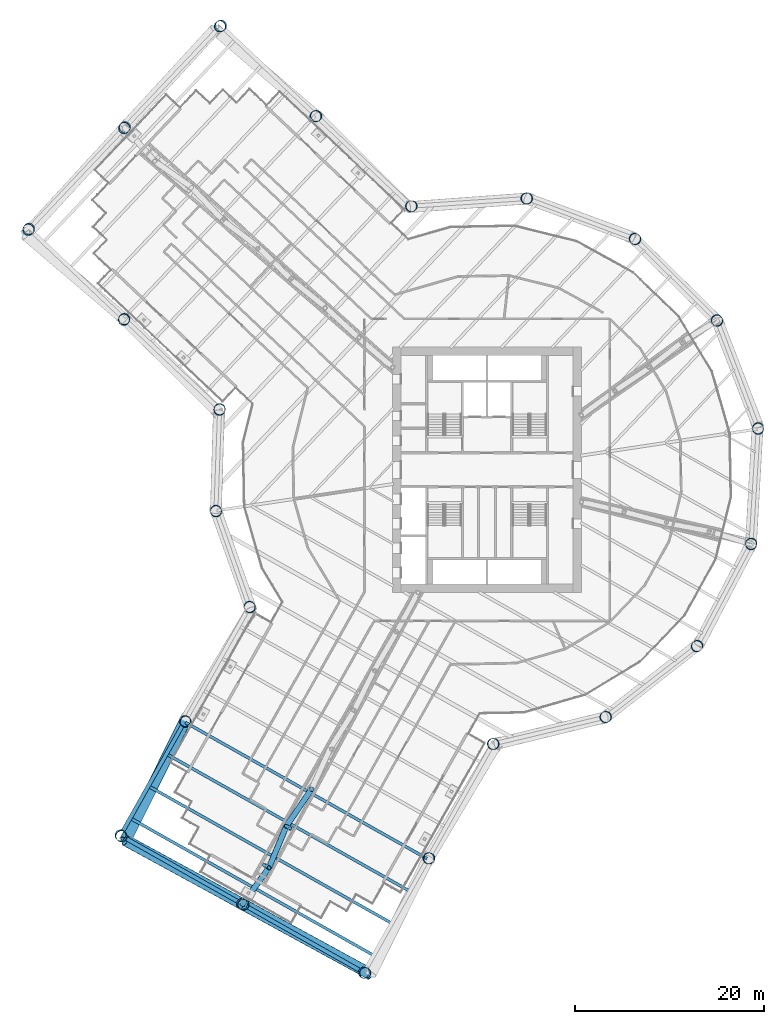
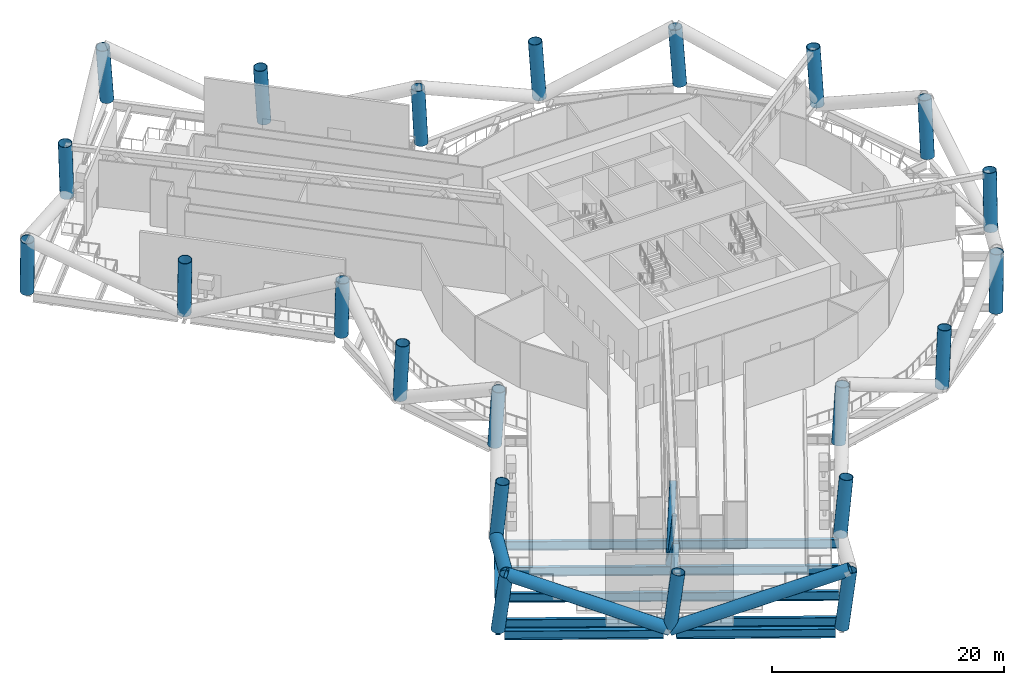
# One storey, part 1 of 39: 22 columns, 8 members, 7 beams.
"""IFC4 building model written with IfcOpenShell, lengths in metres."""

from ifc_helpers import new_model, si_unit, direction, frame, origin, origin_2d, place, context, subcontext, project, spatial, hollow_circle, i_section, extrude, material, material_profile, profile_set, type_object, element, save


model = new_model("IFC4")

# Units and contexts
model_context = context("Model", 3, precision=1e-05, world=origin(), true_north=direction((0.0, 1.0)))
body_context = subcontext(model_context, "Body", "Model", "MODEL_VIEW")
ifc_project = project(units=[si_unit("LENGTHUNIT", "METRE"), si_unit("AREAUNIT", "SQUARE_METRE"), si_unit("VOLUMEUNIT", "CUBIC_METRE"), si_unit("PLANEANGLEUNIT", "RADIAN"), si_unit("MASSUNIT", "GRAM", prefix="KILO")], contexts=[model_context])

# Site, building, storey
site_placement = place(None, origin())
site = spatial("IfcSite", under=ifc_project, at=site_placement, CompositionType="ELEMENT")
building_placement = place(site_placement, origin())
building = spatial("IfcBuilding", under=site, at=building_placement, Name="Tarsis Ring Headquarters", CompositionType="ELEMENT")
storey_placement = place(building_placement, frame((0.0, 0.0, 86.800048828125)))
storey = spatial("IfcBuildingStorey", under=building, at=storey_placement, Name="L19", CompositionType="ELEMENT", Elevation=86.800048828125)

# Columns
ifc_material_1 = material(Name="Structural steel S460", Category="steel")
ifc_material_profile_1 = material_profile(ifc_material_1, hollow_circle(Radius=0.609619140625, WallThickness=0.050048828125, at=origin_2d()), Name="CHS 1219x50")
ifc_profile_set_1 = profile_set([ifc_material_profile_1], Name="Structural steel S460")
column_type = type_object("IfcColumnType", Name="XC Exo column CHS 1219x50", PredefinedType="COLUMN", material=ifc_profile_set_1)
for number, where, z_axis, x_axis, name in (
    (1, (-28.72314453125, -4.334716796875, 0.015380859375), (0.010242784188, -0.064966184968, 0.997834896254), (0.987798156367, 0.155739533447, 0.0), "Exo column XC1 F1"),
    (2, (-25.1689453125, -14.503173828125, 0.015380859375), (0.033217634444, -0.05676379547, 0.997834886284), (0.863080440698, 0.505066483629, 0.0), "Exo column XC1 AK"),
):
    element("IfcColumn", number, at=place(storey_placement, frame(where, z_axis=z_axis, x_axis=x_axis)), inside=storey, type_object=column_type, Name=name, PredefinedType="COLUMN", context=body_context, shape_type="SweptSolid", body=[
        extrude(hollow_circle(Radius=0.609619140625, WallThickness=0.050048828125, at=origin_2d()), origin(), (0.0, 0.0, 1.0), 5.982666015625),
    ])
column_1_placement = place(storey_placement, frame((-31.9970703125, -26.61328125, 0.021728515625), z_axis=(0.060629246461, -0.071890129384, 0.995568131155), x_axis=(0.764438471713, 0.644696690673, 0.0)))
element("IfcColumn", 3, at=column_1_placement, inside=storey, type_object=column_type, Name="Exo column XC1 AI1", PredefinedType="COLUMN", context=body_context, shape_type="SweptSolid", body=[
    extrude(hollow_circle(Radius=0.609619140625, WallThickness=0.050048828125, at=origin_2d()), origin(), (0.0, 0.0, 1.0), 5.98388671875),
])
column_2_placement = place(storey_placement, frame((-38.82470703125, -38.7236328125, 0.028076171875), z_axis=(0.087783259799, -0.086805173339, 0.992350221031), x_axis=(0.703134364773, 0.711057005503, 0.0)))
element("IfcColumn", 4, at=column_2_placement, inside=storey, type_object=column_type, Name="Exo column XC1 AT1", PredefinedType="COLUMN", context=body_context, shape_type="SweptSolid", body=[
    extrude(hollow_circle(Radius=0.609619140625, WallThickness=0.050048828125, at=origin_2d()), origin(), (0.0, 0.0, 1.0), 5.99072265625),
])
column_3_placement = place(storey_placement, frame((-25.932861328125, -45.99267578125, 0.027099609375), z_axis=(0.103986128888, -0.057720250296, 0.992902441182), x_axis=(0.485322790445, 0.874335055385, 0.0)))
element("IfcColumn", 5, at=column_3_placement, inside=storey, type_object=column_type, Name="Exo column XC1 AT2", PredefinedType="COLUMN", context=body_context, shape_type="SweptSolid", body=[
    extrude(hollow_circle(Radius=0.609619140625, WallThickness=0.050048828125, at=origin_2d()), origin(), (0.0, 0.0, 1.0), 5.9892578125),
])
column_4_placement = place(storey_placement, frame((-13.041015625, -53.26171875, 0.028076171875), z_axis=(0.120141072561, -0.028568145137, 0.992345697712), x_axis=(0.231337954172, 0.97287345064, 0.0)))
element("IfcColumn", 6, at=column_4_placement, inside=storey, type_object=column_type, Name="Exo column XC1 AT3", PredefinedType="COLUMN", context=body_context, shape_type="SweptSolid", body=[
    extrude(hollow_circle(Radius=0.609619140625, WallThickness=0.050048828125, at=origin_2d()), origin(), (0.0, 0.0, 1.0), 5.99072265625),
])
column_5_placement = place(storey_placement, frame((-6.21337890625, -41.15185546875, 0.021728515625), z_axis=(0.093025215861, -0.013382574913, 0.995573812383), x_axis=(0.142393733011, 0.989810095321, 0.0)))
element("IfcColumn", 7, at=column_5_placement, inside=storey, type_object=column_type, Name="Exo column XC1 AO1", PredefinedType="COLUMN", context=body_context, shape_type="SweptSolid", body=[
    extrude(hollow_circle(Radius=0.609619140625, WallThickness=0.050048828125, at=origin_2d()), origin(), (0.0, 0.0, 1.0), 5.983642578125),
])
for number, where, z_axis, x_axis, name in (
    (8, (0.614501953125, -29.0419921875, 0.015380859375), (0.065741541679, 0.001836355913, 0.997834995124), (-0.027922069916, 0.999610102996, 0.0), "Exo column XC1 AJ"),
    (9, (12.53076171875, -26.206787109375, 0.015380859375), (0.059130695842, 0.028769593215, 0.99783559333), (-0.437506405931, 0.899215293892, 0.0), "Exo column XC1 R1"),
    (10, (22.21875, -18.7119140625, 0.015380859375), (0.042032192821, 0.050561055248, 0.997836095989), (-0.768983826589, 0.639268233565, 0.0), "Exo column XC1 R2"),
    (11, (27.95654296875, -7.89013671875, 0.015380859375), (0.017424978683, 0.06341549619, 0.997835079039), (-0.964260896002, 0.264954570523, 0.0), "Exo column XC1 R3"),
    (12, (28.72314453125, 4.334716796875, 0.015380859375), (-0.010242784188, 0.064966184968, 0.997834896254), (-0.987798156367, -0.155739533447, 0.0), "Exo column XC1 R4"),
    (13, (24.383056640625, 15.788818359375, 0.015380859375), (-0.036155745542, 0.05496815942, 0.997833284429), (-0.835469539924, -0.549536757515, 0.0), "Exo column XC1 R5"),
    (14, (15.707275390625, 24.435546875, 0.015380859375), (-0.055580337956, 0.035176395975, 0.997834378641), (-0.534786379082, -0.844987295022, 0.0), "Exo column XC1 R6"),
    (15, (4.23876953125, 28.737548828125, 0.015380859375), (-0.065129396198, 0.00918177578, 0.997834583859), (-0.139597048071, -0.990208394314, 0.0), "Exo column XC1 R7"),
    (16, (-7.9833984375, 27.929931640625, 0.015380859375), (-0.063129779143, -0.018485966355, 0.997834104465), (0.281024183057, -0.959700686952, 0.0), "Exo column XC1 BJ"),
):
    element("IfcColumn", number, at=place(storey_placement, frame(where, z_axis=z_axis, x_axis=x_axis)), inside=storey, type_object=column_type, Name=name, PredefinedType="COLUMN", context=body_context, shape_type="SweptSolid", body=[
        extrude(hollow_circle(Radius=0.609619140625, WallThickness=0.050048828125, at=origin_2d()), origin(), (0.0, 0.0, 1.0), 5.982666015625),
    ])
column_6_placement = place(storey_placement, frame((-18.08203125, 37.48486328125, 0.021728515625), z_axis=(-0.084375442059, -0.041412511456, 0.995573095595), x_axis=(0.440603230438, -0.897701951277, 0.0)))
element("IfcColumn", 17, at=column_6_placement, inside=storey, type_object=column_type, Name="Exo column XC1 BO1", PredefinedType="COLUMN", context=body_context, shape_type="SweptSolid", body=[
    extrude(hollow_circle(Radius=0.609619140625, WallThickness=0.050048828125, at=origin_2d()), origin(), (0.0, 0.0, 1.0), 5.98388671875),
])
column_7_placement = place(storey_placement, frame((-28.180908203125, 47.03955078125, 0.028076171875), z_axis=(-0.105470445556, -0.064146244708, 0.992351371443), x_axis=(0.519632714138, -0.854389748532, 0.0)))
element("IfcColumn", 18, at=column_7_placement, inside=storey, type_object=column_type, Name="Exo column XC1 BT3", PredefinedType="COLUMN", context=body_context, shape_type="SweptSolid", body=[
    extrude(hollow_circle(Radius=0.609619140625, WallThickness=0.050048828125, at=origin_2d()), origin(), (0.0, 0.0, 1.0), 5.99072265625),
])
column_8_placement = place(storey_placement, frame((-38.352783203125, 36.289306640625, 0.027099609375), z_axis=(-0.08115883621, -0.086947161043, 0.992901523058), x_axis=(0.731021076763, -0.682354882248, 0.0)))
element("IfcColumn", 19, at=column_8_placement, inside=storey, type_object=column_type, Name="Exo column XC1 BT2", PredefinedType="COLUMN", context=body_context, shape_type="SweptSolid", body=[
    extrude(hollow_circle(Radius=0.609619140625, WallThickness=0.050048828125, at=origin_2d()), origin(), (0.0, 0.0, 1.0), 5.9892578125),
])
column_9_placement = place(storey_placement, frame((-48.524658203125, 25.538818359375, 0.028076171875), z_axis=(-0.056769517774, -0.109667460395, 0.992345841923), x_axis=(0.888068997298, -0.459710187007, 0.0)))
element("IfcColumn", 20, at=column_9_placement, inside=storey, type_object=column_type, Name="Exo column XC1 BT1", PredefinedType="COLUMN", context=body_context, shape_type="SweptSolid", body=[
    extrude(hollow_circle(Radius=0.609619140625, WallThickness=0.050048828125, at=origin_2d()), origin(), (0.0, 0.0, 1.0), 5.99072265625),
])
column_10_placement = place(storey_placement, frame((-38.42626953125, 15.984375, 0.021728515625), z_axis=(-0.035496446072, -0.087027493646, 0.995573311045), x_axis=(0.925940604416, -0.377669163545, 0.0)))
element("IfcColumn", 21, at=column_10_placement, inside=storey, type_object=column_type, Name="Exo column XC1 BI1", PredefinedType="COLUMN", context=body_context, shape_type="SweptSolid", body=[
    extrude(hollow_circle(Radius=0.609619140625, WallThickness=0.050048828125, at=origin_2d()), origin(), (0.0, 0.0, 1.0), 5.983642578125),
])
column_11_placement = place(storey_placement, frame((-28.327880859375, 6.4296875, 0.015380859375), z_axis=(-0.014119538385, -0.064231657276, 0.997835123074), x_axis=(0.976680911386, -0.21469605803, 0.0)))
element("IfcColumn", 22, at=column_11_placement, inside=storey, type_object=column_type, Name="Exo column XC1 BK", PredefinedType="COLUMN", context=body_context, shape_type="SweptSolid", body=[
    extrude(hollow_circle(Radius=0.609619140625, WallThickness=0.050048828125, at=origin_2d()), origin(), (0.0, 0.0, 1.0), 5.982666015625),
])

# Beams
ifc_material_2 = material(Name="Structural steel S355", Category="steel")
ifc_material_profile_2 = material_profile(ifc_material_2, i_section(OverallWidth=0.309814453125, OverallDepth=0.949951171875, WebThickness=0.0244140625, FlangeThickness=0.0439453125, at=origin_2d()), Name="W36x256")
ifc_profile_set_2 = profile_set([ifc_material_profile_2], Name="Structural steel S355")
beam_type_1 = type_object("IfcBeamType", Name="FB Floor beam W36x256", PredefinedType="JOIST", material=ifc_profile_set_2)
for number, where, z_axis, x_axis, name in (
    (23, (-31.950927734375, -26.755859375, -0.775146484375), (0.871042112512, -0.491208345033, 0.0), (0.491208345033, 0.871042112512, 0.0), "Floor beam FB11"),
    (24, (-33.86669921875, -30.15283203125, -0.775146484375), (0.871042112512, -0.491208345033, 0.0), (0.491208345033, 0.871042112512, 0.0), "Floor beam FB11"),
):
    element("IfcBeam", number, at=place(storey_placement, frame(where, z_axis=z_axis, x_axis=x_axis)), inside=storey, type_object=beam_type_1, Name=name, PredefinedType="JOIST", context=body_context, shape_type="SweptSolid", body=[
        extrude(i_section(OverallWidth=0.309814453125, OverallDepth=0.949951171875, WebThickness=0.0244140625, FlangeThickness=0.0439453125, at=origin_2d()), origin(), (0.0, 0.0, 1.0), 29.3759765625),
    ])
beam_1_placement = place(storey_placement, frame((-35.7822265625, -33.550048828125, -0.775146484375), z_axis=(0.871043663155, -0.491205595323, 0.0), x_axis=(0.491205595323, 0.871043663155, 0.0)))
element("IfcBeam", 25, at=beam_1_placement, inside=storey, type_object=beam_type_1, Name="Floor beam FB11", PredefinedType="JOIST", context=body_context, shape_type="SweptSolid", body=[
    extrude(i_section(OverallWidth=0.309814453125, OverallDepth=0.949951171875, WebThickness=0.0244140625, FlangeThickness=0.0439453125, at=origin_2d()), origin(), (0.0, 0.0, 1.0), 29.37548828125),
])
beam_2_placement = place(storey_placement, frame((-37.697998046875, -36.947021484375, -0.775146484375), z_axis=(0.871042112512, -0.491208345033, 0.0), x_axis=(0.491208345033, 0.871042112512, 0.0)))
element("IfcBeam", 26, at=beam_2_placement, inside=storey, type_object=beam_type_1, Name="Floor beam FB11", PredefinedType="JOIST", context=body_context, shape_type="SweptSolid", body=[
    extrude(i_section(OverallWidth=0.309814453125, OverallDepth=0.949951171875, WebThickness=0.0244140625, FlangeThickness=0.0439453125, at=origin_2d()), origin(), (0.0, 0.0, 1.0), 29.3759765625),
])

# Members
ifc_material_profile_3 = material_profile(ifc_material_2, hollow_circle(Radius=0.3046875, WallThickness=0.02490234375, at=origin_2d()), Name="CHS 610x25")
ifc_profile_set_3 = profile_set([ifc_material_profile_3], Name="Structural steel S355")
member_type_1 = type_object("IfcMemberType", Name="OD Outrigger diagonal CHS 610x25", PredefinedType="BRACE", material=ifc_profile_set_3)
member_1_placement = place(storey_placement, frame((-18.589599609375, -33.822265625, 5.5859375), z_axis=(-0.374111451774, -0.550419205469, -0.746377464761), x_axis=(0.827047779633, -0.562131630674, 0.0)))
element("IfcMember", 27, at=member_1_placement, inside=storey, type_object=member_type_1, Name="Outrigger diagonal OD1", PredefinedType="BRACE", context=body_context, shape_type="SweptSolid", body=[
    extrude(hollow_circle(Radius=0.3046875, WallThickness=0.02490234375, at=origin_2d()), origin(), (0.0, 0.0, 1.0), 7.143798828125),
])
member_2_placement = place(storey_placement, frame((-21.26220703125, -37.75439453125, 0.25390625), z_axis=(-0.256584647366, -0.614915435671, 0.745683126877), x_axis=(0.922879714858, -0.385088342985, 0.0)))
element("IfcMember", 28, at=member_2_placement, inside=storey, type_object=member_type_1, Name="Outrigger diagonal OD1", PredefinedType="BRACE", context=body_context, shape_type="SweptSolid", body=[
    extrude(hollow_circle(Radius=0.3046875, WallThickness=0.02490234375, at=origin_2d()), origin(), (0.0, 0.0, 1.0), 7.150634765625),
])
member_3_placement = place(storey_placement, frame((-23.096923828125, -42.1513671875, 5.5859375), z_axis=(-0.393038329432, -0.538700333803, -0.745199853702), x_axis=(0.807839015696, -0.589403193679, 0.0)))
element("IfcMember", 29, at=member_3_placement, inside=storey, type_object=member_type_1, Name="Outrigger diagonal OD1", PredefinedType="BRACE", context=body_context, shape_type="SweptSolid", body=[
    extrude(hollow_circle(Radius=0.3046875, WallThickness=0.02490234375, at=origin_2d()), origin(), (0.0, 0.0, 1.0), 7.1552734375),
])
ifc_material_profile_4 = material_profile(ifc_material_2, hollow_circle(Radius=0.203125, WallThickness=0.01611328125, at=origin_2d()), Name="CHS 406x16")
ifc_profile_set_4 = profile_set([ifc_material_profile_4], Name="Structural steel S355")
member_type_2 = type_object("IfcMemberType", Name="OV Outrigger post CHS 406x16", PredefinedType="STRUT", material=ifc_profile_set_4)
member_4_placement = place(storey_placement, frame((-21.26220703125, -37.75439453125, 0.508056640625), z_axis=(0.086421329912, -0.047944700511, 0.995104346001), x_axis=(0.48512364707, 0.874445565517, 0.0)))
element("IfcMember", 30, at=member_4_placement, inside=storey, type_object=member_type_2, Name="Outrigger post OV1", PredefinedType="STRUT", context=body_context, shape_type="SweptSolid", body=[
    extrude(hollow_circle(Radius=0.203125, WallThickness=0.01611328125, at=origin_2d()), origin(), (0.0, 0.0, 1.0), 4.84765625),
])
member_5_placement = place(storey_placement, frame((-23.585693359375, -41.880126953125, 0.508056640625), z_axis=(0.100647450208, -0.055853804786, 0.993353131196), x_axis=(0.485234965481, 0.874383799184, 0.0)))
element("IfcMember", 31, at=member_5_placement, inside=storey, type_object=member_type_2, Name="Outrigger post OV1", PredefinedType="STRUT", context=body_context, shape_type="SweptSolid", body=[
    extrude(hollow_circle(Radius=0.203125, WallThickness=0.01611328125, at=origin_2d()), origin(), (0.0, 0.0, 1.0), 4.856201171875),
])
member_type_3 = type_object("IfcMemberType", Name="TD Belt truss diagonal CHS 1219x50", PredefinedType="BRACE", material=ifc_profile_set_1)
member_6_placement = place(storey_placement, frame((-31.998291015625, -26.61181640625, 0.0), z_axis=(-0.410588349852, -0.823659615646, 0.391154757761), x_axis=(0.894966113764, -0.44613412245, 0.0)))
element("IfcMember", 32, at=member_6_placement, inside=storey, type_object=member_type_3, Name="Belt truss diagonal TD1", PredefinedType="BRACE", context=body_context, shape_type="SweptSolid", body=[
    extrude(hollow_circle(Radius=0.609619140625, WallThickness=0.050048828125, at=origin_2d()), origin(), (0.0, 0.0, 1.0), 15.339111328125),
])
member_7_placement = place(storey_placement, frame((-25.935791015625, -45.990966796875, 0.0), z_axis=(-0.807558481273, 0.440664800058, 0.39199978739), x_axis=(-0.479001541197, -0.87781405977, 0.0)))
element("IfcMember", 33, at=member_7_placement, inside=storey, type_object=member_type_3, Name="Belt truss diagonal TD1", PredefinedType="BRACE", context=body_context, shape_type="SweptSolid", body=[
    extrude(hollow_circle(Radius=0.609619140625, WallThickness=0.050048828125, at=origin_2d()), origin(), (0.0, 0.0, 1.0), 15.30615234375),
])
member_8_placement = place(storey_placement, frame((-25.935791015625, -45.990966796875, 0.0), z_axis=(0.818452427287, -0.447318337801, 0.36061326783), x_axis=(0.479587153813, 0.877494251775, 0.0)))
element("IfcMember", 34, at=member_8_placement, inside=storey, type_object=member_type_3, Name="Belt truss diagonal TD1", PredefinedType="BRACE", context=body_context, shape_type="SweptSolid", body=[
    extrude(hollow_circle(Radius=0.609619140625, WallThickness=0.050048828125, at=origin_2d()), origin(), (0.0, 0.0, 1.0), 16.638427734375),
])

# Beams
ifc_material_profile_5 = material_profile(ifc_material_2, i_section(OverallWidth=0.42431640625, OverallDepth=0.947509765625, WebThickness=0.02392578125, FlangeThickness=0.042724609375, at=origin_2d()), Name="W36x302")
ifc_profile_set_5 = profile_set([ifc_material_profile_5], Name="Structural steel S355")
beam_type_2 = type_object("IfcBeamType", Name="XG Ring girder W36x302", PredefinedType="BEAM", material=ifc_profile_set_5)
beam_3_placement = place(storey_placement, frame((-32.267822265625, -27.089599609375, -0.4736328125), z_axis=(-0.491205101605, -0.871043941576, 0.0), x_axis=(0.871043941576, -0.491205101605, 0.0)))
element("IfcBeam", 35, at=beam_3_placement, inside=storey, type_object=beam_type_2, Name="Ring girder XG1", PredefinedType="BEAM", context=body_context, shape_type="SweptSolid", body=[
    extrude(i_section(OverallWidth=0.42431640625, OverallDepth=0.947509765625, WebThickness=0.02392578125, FlangeThickness=0.042724609375, at=origin_2d()), origin(), (0.0, 0.0, 1.0), 12.804931640625),
])
beam_4_placement = place(storey_placement, frame((-38.349365234375, -38.99072265625, -0.4736328125), z_axis=(0.871050205895, -0.491193993052, 0.0), x_axis=(0.491193993052, 0.871050205895, 0.0)))
element("IfcBeam", 36, at=beam_4_placement, inside=storey, type_object=beam_type_2, Name="Ring girder XG1", PredefinedType="BEAM", context=body_context, shape_type="SweptSolid", body=[
    extrude(i_section(OverallWidth=0.42431640625, OverallDepth=0.947509765625, WebThickness=0.02392578125, FlangeThickness=0.042724609375, at=origin_2d()), origin(), (0.0, 0.0, 1.0), 13.702880859375),
])
beam_5_placement = place(storey_placement, frame((-25.457763671875, -46.260498046875, -0.4736328125), z_axis=(0.871038283807, -0.491215134277, 0.0), x_axis=(0.491215134277, 0.871038283807, 0.0)))
element("IfcBeam", 37, at=beam_5_placement, inside=storey, type_object=beam_type_2, Name="Ring girder XG1", PredefinedType="BEAM", context=body_context, shape_type="SweptSolid", body=[
    extrude(i_section(OverallWidth=0.42431640625, OverallDepth=0.947509765625, WebThickness=0.02392578125, FlangeThickness=0.042724609375, at=origin_2d()), origin(), (0.0, 0.0, 1.0), 13.70263671875),
])

save(model, "model.ifc")
